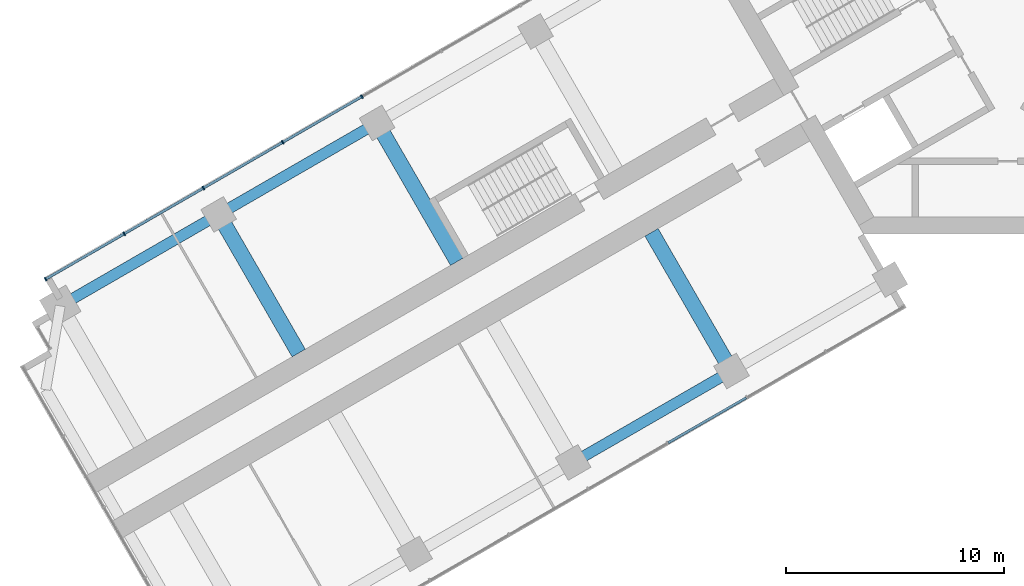
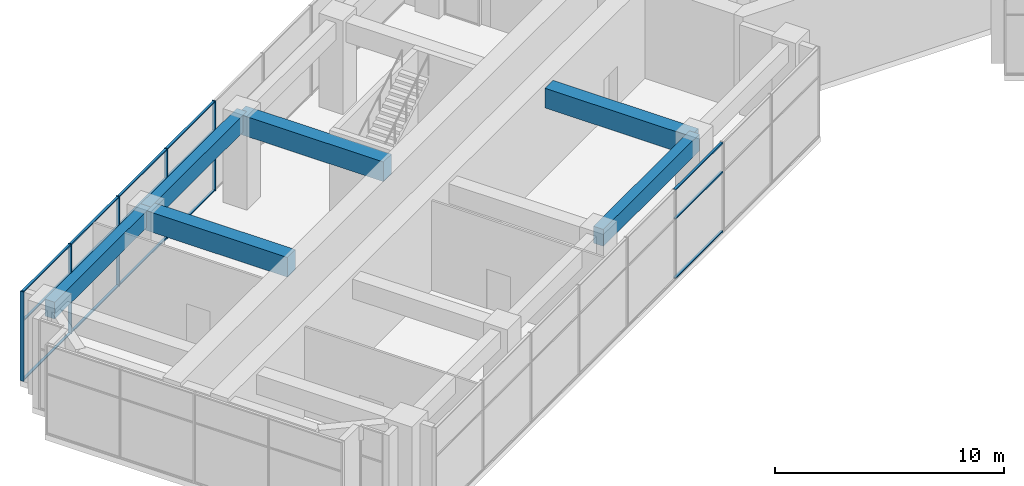
# One storey, part 3 of 20: 20 members, 6 beams, 2 elements without a shape of their own.
"""IFC4 building model written with IfcOpenShell, lengths in metres."""

from ifc_helpers import new_model, si_unit, direction, frame, origin, origin_2d, place, context, subcontext, project, spatial, rectangle, extrude, material, material_profile, profile_set, type_object, element, aggregate, save


model = new_model("IFC4")

# Units and contexts
model_context = context("Model", 3, precision=1e-05, world=origin(), true_north=direction((0.0, 1.0)))
body_context = subcontext(model_context, "Body", "Model", "MODEL_VIEW")
ifc_project = project(units=[si_unit("LENGTHUNIT", "METRE"), si_unit("AREAUNIT", "SQUARE_METRE"), si_unit("VOLUMEUNIT", "CUBIC_METRE"), si_unit("PLANEANGLEUNIT", "RADIAN"), si_unit("MASSUNIT", "GRAM", prefix="KILO")], contexts=[model_context])

# Site, building, storey
site_placement = place(None, origin())
site = spatial("IfcSite", under=ifc_project, at=site_placement, CompositionType="ELEMENT")
building_placement = place(site_placement, origin())
building = spatial("IfcBuilding", under=site, at=building_placement, Name="Impinga Residences", CompositionType="ELEMENT")
storey_placement = place(building_placement, frame((0.0, 0.0, 101.0)))
storey = spatial("IfcBuildingStorey", under=building, at=storey_placement, Name="L24", CompositionType="ELEMENT", Elevation=101.0)

# Beams
ifc_material_1 = material(Name="Concrete C60/75", Category="concrete")
ifc_material_profile_1 = material_profile(ifc_material_1, rectangle(XDim=0.699951171875, YDim=1.050048828125, at=origin_2d()), Name="RC 700x1050")
ifc_profile_set_1 = profile_set([ifc_material_profile_1], Name="Concrete C60/75")
beam_type_1 = type_object("IfcBeamType", Name="CG1 700x1050 cross girder on a wing bay line", PredefinedType="BEAM", material=ifc_profile_set_1)
for number, where, z_axis, x_axis, name in (
    (1, (-16.349609375, -11.3447265625, 4.2548828125), (0.500008066151, -0.86602074674, 0.0), (0.86602074674, 0.500008066151, 0.0), "Beam CG1 W2 WC/WA level L25"),
    (2, (-25.274169921875, -12.686767578125, 4.2548828125), (-0.500008066151, 0.86602074674, 0.0), (-0.86602074674, -0.500008066151, 0.0), "Beam CG1 W3 WC/WF level L25"),
    (3, (-32.548828125, -16.88671875, 4.2548828125), (-0.500008066151, 0.86602074674, 0.0), (-0.86602074674, -0.500008066151, 0.0), "Beam CG1 W4 WC/WF level L25"),
):
    element("IfcBeam", number, at=place(storey_placement, frame(where, z_axis=z_axis, x_axis=x_axis)), inside=storey, type_object=beam_type_1, Name=name, PredefinedType="BEAM", context=body_context, shape_type="SweptSolid", body=[
        extrude(rectangle(XDim=0.699951171875, YDim=1.050048828125, at=origin_2d()), origin(), (0.0, 0.0, 1.0), 7.35009765625),
    ])

# Curtain wall, members
ifc_material_2 = material(Name="Aluminium stick curtain wall", Category="aluminium")
curtain_wall_type = type_object("IfcCurtainWallType", Name="CW2 sky amenity curtain wall", PredefinedType="USERDEFINED", material=ifc_material_2)
curtain_wall_1_placement = place(storey_placement, origin())
curtain_wall_1 = element("IfcCurtainWall", 4, at=curtain_wall_1_placement, inside=storey, type_object=curtain_wall_type, Name="Curtain wall CW2 L24", ObjectType="STICK CURTAIN WALL", PredefinedType="USERDEFINED")
ifc_material_3 = material(Name="Aluminium mullion", Category="aluminium")
ifc_material_profile_2 = material_profile(ifc_material_3, rectangle(XDim=0.06005859375, YDim=0.179931640625, at=origin_2d()), Name="60x180 mullion")
ifc_profile_set_2 = profile_set([ifc_material_profile_2], Name="Aluminium mullion")
member_type_1 = type_object("IfcMemberType", Name="CW2-M mullion 60x180", PredefinedType="MULLION", material=ifc_profile_set_2)
member_1_placement = place(storey_placement, frame((-44.17236328125, -13.494140625, 0.0), z_axis=(0.0, 0.0, 1.0), x_axis=(0.866025407005, 0.499999994423, 0.0)))
member_1 = element("IfcMember", 5, at=member_1_placement, type_object=member_type_1, Name="CW2 mullion 1", PredefinedType="MULLION", context=body_context, shape_type="SweptSolid", body=[
    extrude(rectangle(XDim=0.06005859375, YDim=0.179931640625, at=origin_2d()), origin(), (0.0, 0.0, 1.0), 4.780029296875),
])
member_2_placement = place(storey_placement, frame((-40.56103515625, -11.4091796875, 0.0), z_axis=(0.0, 0.0, 1.0), x_axis=(0.866025407005, 0.499999994423, 0.0)))
member_2 = element("IfcMember", 6, at=member_2_placement, type_object=member_type_1, Name="CW2 mullion 2", PredefinedType="MULLION", context=body_context, shape_type="SweptSolid", body=[
    extrude(rectangle(XDim=0.06005859375, YDim=0.179931640625, at=origin_2d()), origin(), (0.0, 0.0, 1.0), 4.780029296875),
])
member_3_placement = place(storey_placement, frame((-36.923828125, -9.30908203125, 0.0), z_axis=(0.0, 0.0, 1.0), x_axis=(0.866025407005, 0.499999994423, 0.0)))
member_3 = element("IfcMember", 7, at=member_3_placement, type_object=member_type_1, Name="CW2 mullion 3", PredefinedType="MULLION", context=body_context, shape_type="SweptSolid", body=[
    extrude(rectangle(XDim=0.06005859375, YDim=0.179931640625, at=origin_2d()), origin(), (0.0, 0.0, 1.0), 4.780029296875),
])
member_4_placement = place(storey_placement, frame((-33.28662109375, -7.208984375, 0.0), z_axis=(0.0, 0.0, 1.0), x_axis=(0.866025407005, 0.499999994423, 0.0)))
member_4 = element("IfcMember", 8, at=member_4_placement, type_object=member_type_1, Name="CW2 mullion 4", PredefinedType="MULLION", context=body_context, shape_type="SweptSolid", body=[
    extrude(rectangle(XDim=0.06005859375, YDim=0.179931640625, at=origin_2d()), origin(), (0.0, 0.0, 1.0), 4.780029296875),
])
member_5_placement = place(storey_placement, frame((-29.649169921875, -5.109130859375, 0.0), z_axis=(0.0, 0.0, 1.0), x_axis=(0.866025407005, 0.499999994423, 0.0)))
member_5 = element("IfcMember", 9, at=member_5_placement, type_object=member_type_1, Name="CW2 mullion 5", PredefinedType="MULLION", context=body_context, shape_type="SweptSolid", body=[
    extrude(rectangle(XDim=0.06005859375, YDim=0.179931640625, at=origin_2d()), origin(), (0.0, 0.0, 1.0), 4.780029296875),
])
ifc_material_4 = material(Name="Aluminium transom", Category="aluminium")
ifc_material_profile_3 = material_profile(ifc_material_4, rectangle(XDim=0.06005859375, YDim=0.1201171875, at=origin_2d()), Name="60x120 transom")
ifc_profile_set_3 = profile_set([ifc_material_profile_3], Name="Aluminium transom")
member_type_2 = type_object("IfcMemberType", Name="CW2-T transom 60x120", PredefinedType="USERDEFINED", material=ifc_profile_set_3)
member_6_placement = place(storey_placement, frame((-44.146484375, -13.47900390625, 0.030029296875), z_axis=(0.866030279993, 0.499991554064, 0.0), x_axis=(0.0, 0.0, 1.0)))
member_6 = element("IfcMember", 10, at=member_6_placement, type_object=member_type_2, Name="CW2 transom 1.1", ObjectType="TRANSOM", PredefinedType="USERDEFINED", context=body_context, shape_type="SweptSolid", body=[
    extrude(rectangle(XDim=0.06005859375, YDim=0.1201171875, at=origin_2d()), origin(), (0.0, 0.0, 1.0), 4.10986328125),
])
member_7_placement = place(storey_placement, frame((-44.146484375, -13.47900390625, 3.199951171875), z_axis=(0.866030279993, 0.499991554064, 0.0), x_axis=(0.0, 0.0, 1.0)))
member_7 = element("IfcMember", 11, at=member_7_placement, type_object=member_type_2, Name="CW2 transom 1.2", ObjectType="TRANSOM", PredefinedType="USERDEFINED", context=body_context, shape_type="SweptSolid", body=[
    extrude(rectangle(XDim=0.06005859375, YDim=0.1201171875, at=origin_2d()), origin(), (0.0, 0.0, 1.0), 4.10986328125),
])
member_8_placement = place(storey_placement, frame((-44.146484375, -13.47900390625, 4.75), z_axis=(0.866030279993, 0.499991554064, 0.0), x_axis=(0.0, 0.0, 1.0)))
member_8 = element("IfcMember", 12, at=member_8_placement, type_object=member_type_2, Name="CW2 transom 1.3", ObjectType="TRANSOM", PredefinedType="USERDEFINED", context=body_context, shape_type="SweptSolid", body=[
    extrude(rectangle(XDim=0.06005859375, YDim=0.1201171875, at=origin_2d()), origin(), (0.0, 0.0, 1.0), 4.10986328125),
])
member_9_placement = place(storey_placement, frame((-40.53515625, -11.39404296875, 0.030029296875), z_axis=(0.866050071143, 0.499957272447, 0.0), x_axis=(0.0, 0.0, 1.0)))
member_9 = element("IfcMember", 13, at=member_9_placement, type_object=member_type_2, Name="CW2 transom 2.1", ObjectType="TRANSOM", PredefinedType="USERDEFINED", context=body_context, shape_type="SweptSolid", body=[
    extrude(rectangle(XDim=0.06005859375, YDim=0.1201171875, at=origin_2d()), origin(), (0.0, 0.0, 1.0), 4.139892578125),
])
member_10_placement = place(storey_placement, frame((-40.53515625, -11.39404296875, 3.199951171875), z_axis=(0.866050071143, 0.499957272447, 0.0), x_axis=(0.0, 0.0, 1.0)))
member_10 = element("IfcMember", 14, at=member_10_placement, type_object=member_type_2, Name="CW2 transom 2.2", ObjectType="TRANSOM", PredefinedType="USERDEFINED", context=body_context, shape_type="SweptSolid", body=[
    extrude(rectangle(XDim=0.06005859375, YDim=0.1201171875, at=origin_2d()), origin(), (0.0, 0.0, 1.0), 4.139892578125),
])
member_11_placement = place(storey_placement, frame((-40.53515625, -11.39404296875, 4.75), z_axis=(0.866050071143, 0.499957272447, 0.0), x_axis=(0.0, 0.0, 1.0)))
member_11 = element("IfcMember", 15, at=member_11_placement, type_object=member_type_2, Name="CW2 transom 2.3", ObjectType="TRANSOM", PredefinedType="USERDEFINED", context=body_context, shape_type="SweptSolid", body=[
    extrude(rectangle(XDim=0.06005859375, YDim=0.1201171875, at=origin_2d()), origin(), (0.0, 0.0, 1.0), 4.139892578125),
])
member_12_placement = place(storey_placement, frame((-36.89794921875, -9.294189453125, 0.030029296875), z_axis=(0.866024536972, 0.500001501361, 0.0), x_axis=(0.0, 0.0, 1.0)))
member_12 = element("IfcMember", 16, at=member_12_placement, type_object=member_type_2, Name="CW2 transom 3.1", ObjectType="TRANSOM", PredefinedType="USERDEFINED", context=body_context, shape_type="SweptSolid", body=[
    extrude(rectangle(XDim=0.06005859375, YDim=0.1201171875, at=origin_2d()), origin(), (0.0, 0.0, 1.0), 4.14013671875),
])
member_13_placement = place(storey_placement, frame((-36.89794921875, -9.294189453125, 3.199951171875), z_axis=(0.866024536972, 0.500001501361, 0.0), x_axis=(0.0, 0.0, 1.0)))
member_13 = element("IfcMember", 17, at=member_13_placement, type_object=member_type_2, Name="CW2 transom 3.2", ObjectType="TRANSOM", PredefinedType="USERDEFINED", context=body_context, shape_type="SweptSolid", body=[
    extrude(rectangle(XDim=0.06005859375, YDim=0.1201171875, at=origin_2d()), origin(), (0.0, 0.0, 1.0), 4.14013671875),
])
member_14_placement = place(storey_placement, frame((-36.89794921875, -9.294189453125, 4.75), z_axis=(0.866024536972, 0.500001501361, 0.0), x_axis=(0.0, 0.0, 1.0)))
member_14 = element("IfcMember", 18, at=member_14_placement, type_object=member_type_2, Name="CW2 transom 3.3", ObjectType="TRANSOM", PredefinedType="USERDEFINED", context=body_context, shape_type="SweptSolid", body=[
    extrude(rectangle(XDim=0.06005859375, YDim=0.1201171875, at=origin_2d()), origin(), (0.0, 0.0, 1.0), 4.14013671875),
])
member_15_placement = place(storey_placement, frame((-33.260498046875, -7.194091796875, 0.030029296875), z_axis=(0.866009793405, 0.500027036996, 0.0), x_axis=(0.0, 0.0, 1.0)))
member_15 = element("IfcMember", 19, at=member_15_placement, type_object=member_type_2, Name="CW2 transom 4.1", ObjectType="TRANSOM", PredefinedType="USERDEFINED", context=body_context, shape_type="SweptSolid", body=[
    extrude(rectangle(XDim=0.06005859375, YDim=0.1201171875, at=origin_2d()), origin(), (0.0, 0.0, 1.0), 4.139892578125),
])
member_16_placement = place(storey_placement, frame((-33.260498046875, -7.194091796875, 3.199951171875), z_axis=(0.866009793405, 0.500027036996, 0.0), x_axis=(0.0, 0.0, 1.0)))
member_16 = element("IfcMember", 20, at=member_16_placement, type_object=member_type_2, Name="CW2 transom 4.2", ObjectType="TRANSOM", PredefinedType="USERDEFINED", context=body_context, shape_type="SweptSolid", body=[
    extrude(rectangle(XDim=0.06005859375, YDim=0.1201171875, at=origin_2d()), origin(), (0.0, 0.0, 1.0), 4.139892578125),
])
member_17_placement = place(storey_placement, frame((-33.260498046875, -7.194091796875, 4.75), z_axis=(0.866009793405, 0.500027036996, 0.0), x_axis=(0.0, 0.0, 1.0)))
member_17 = element("IfcMember", 21, at=member_17_placement, type_object=member_type_2, Name="CW2 transom 4.3", ObjectType="TRANSOM", PredefinedType="USERDEFINED", context=body_context, shape_type="SweptSolid", body=[
    extrude(rectangle(XDim=0.06005859375, YDim=0.1201171875, at=origin_2d()), origin(), (0.0, 0.0, 1.0), 4.139892578125),
])
aggregate(curtain_wall_1, [member_1, member_2, member_3, member_4, member_5, member_6, member_7, member_8, member_9, member_10, member_11, member_12, member_13, member_14, member_15, member_16, member_17])

curtain_wall_2_placement = place(storey_placement, origin())
curtain_wall_2 = element("IfcCurtainWall", 22, at=curtain_wall_2_placement, inside=storey, type_object=curtain_wall_type, Name="Curtain wall CW2 L24", ObjectType="STICK CURTAIN WALL", PredefinedType="USERDEFINED")
member_18_placement = place(storey_placement, frame((-12.00048828125, -18.9375, 0.030029296875), z_axis=(-0.866050071143, -0.499957272447, 0.0), x_axis=(0.0, 0.0, 1.0)))
member_18 = element("IfcMember", 23, at=member_18_placement, type_object=member_type_2, Name="CW2 transom 3.1", ObjectType="TRANSOM", PredefinedType="USERDEFINED", context=body_context, shape_type="SweptSolid", body=[
    extrude(rectangle(XDim=0.06005859375, YDim=0.1201171875, at=origin_2d()), origin(), (0.0, 0.0, 1.0), 4.139892578125),
])
member_19_placement = place(storey_placement, frame((-12.00048828125, -18.9375, 3.199951171875), z_axis=(-0.866050071143, -0.499957272447, 0.0), x_axis=(0.0, 0.0, 1.0)))
member_19 = element("IfcMember", 24, at=member_19_placement, type_object=member_type_2, Name="CW2 transom 3.2", ObjectType="TRANSOM", PredefinedType="USERDEFINED", context=body_context, shape_type="SweptSolid", body=[
    extrude(rectangle(XDim=0.06005859375, YDim=0.1201171875, at=origin_2d()), origin(), (0.0, 0.0, 1.0), 4.139892578125),
])
member_20_placement = place(storey_placement, frame((-12.00048828125, -18.9375, 4.75), z_axis=(-0.866050071143, -0.499957272447, 0.0), x_axis=(0.0, 0.0, 1.0)))
member_20 = element("IfcMember", 25, at=member_20_placement, type_object=member_type_2, Name="CW2 transom 3.3", ObjectType="TRANSOM", PredefinedType="USERDEFINED", context=body_context, shape_type="SweptSolid", body=[
    extrude(rectangle(XDim=0.06005859375, YDim=0.1201171875, at=origin_2d()), origin(), (0.0, 0.0, 1.0), 4.139892578125),
])
aggregate(curtain_wall_2, [member_18, member_19, member_20])

# Beams
ifc_material_profile_4 = material_profile(ifc_material_1, rectangle(XDim=0.5, YDim=0.89990234375, at=origin_2d()), Name="RC 500x900")
ifc_profile_set_4 = profile_set([ifc_material_profile_4], Name="Concrete C60/75")
beam_type_2 = type_object("IfcBeamType", Name="SB1 500x900 perimeter spandrel beam", PredefinedType="SPANDREL", material=ifc_profile_set_4)
for number, where, z_axis, x_axis, name in (
    (26, (-12.674560546875, -17.7099609375, 4.330078125), (-0.86602925447, -0.499993330357, 0.0), (0.499993330357, -0.86602925447, 0.0), "Beam SB1 WA W2-W3 level L25"),
    (27, (-28.94921875, -6.321533203125, 4.330078125), (-0.86602925447, -0.499993330357, 0.0), (0.499993330357, -0.86602925447, 0.0), "Beam SB1 WF W3-W4 level L25"),
    (28, (-36.223876953125, -10.521484375, 4.330078125), (-0.86602925447, -0.499993330357, 0.0), (0.499993330357, -0.86602925447, 0.0), "Beam SB1 WF W4-W5 level L25"),
):
    element("IfcBeam", number, at=place(storey_placement, frame(where, z_axis=z_axis, x_axis=x_axis)), inside=storey, type_object=beam_type_2, Name=name, PredefinedType="SPANDREL", context=body_context, shape_type="SweptSolid", body=[
        extrude(rectangle(XDim=0.5, YDim=0.89990234375, at=origin_2d()), origin(), (0.0, 0.0, 1.0), 8.39990234375),
    ])

save(model, "model.ifc")
